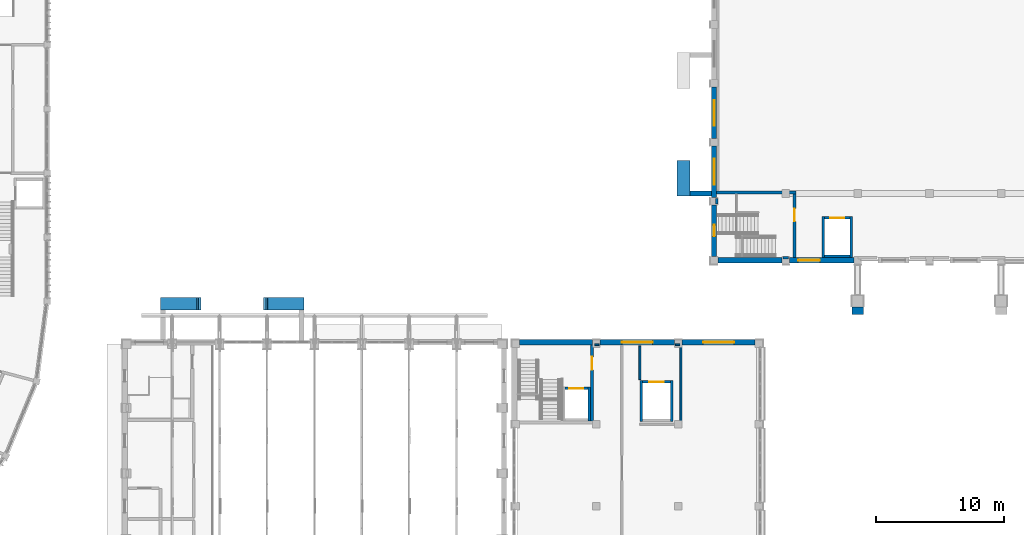
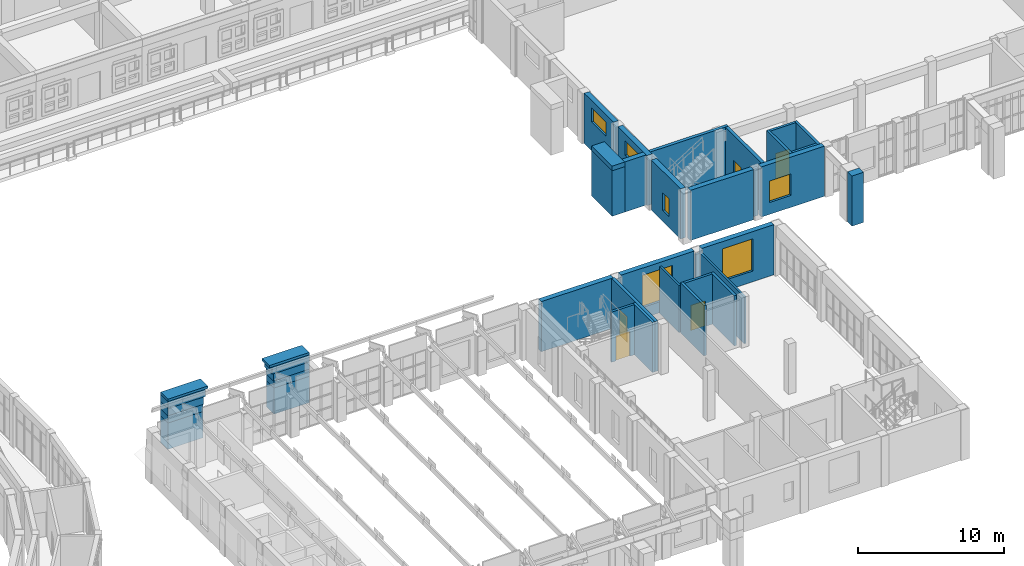
# One storey, part 60 of 99: 40 walls, 6 windows, 5 doors, 11 openings.
"""IFC4 building model written with IfcOpenShell, lengths in metres."""

import ifcopenshell
import ifcopenshell.guid

model = None  # the IFC model being written
_history = None  # IfcOwnerHistory: only IFC2X3 demands one
_inside = {}  # id of a spatial element -> (the spatial element, [elements in it])
_under = {}  # id of a project, library or spatial element -> (it, [spatial elements below it])
_declared = {}  # id of a project -> (the project, [libraries it declares])
_typed = {}  # id of a type object -> (the type object, [elements of that type])
_made_of = {}  # id of a material, layer set ... -> (it, [elements and type objects made of it])


def new_model(schema):
    """Start an empty IFC model of exactly this schema.

    Asked for "IFC4X3", IfcOpenShell would pick the latest addendum, in which some entities
    have other attributes; the version numbers below select the first issue.
    IFC2X3 requires an IfcOwnerHistory on every rooted entity: one is made here for all.
    """
    global model, _history
    if schema == "IFC4X3":
        model = ifcopenshell.file(schema_version=(4, 3, 0, 0))
    else:
        model = ifcopenshell.file(schema=schema)
    _inside.clear()
    _under.clear()
    _declared.clear()
    _typed.clear()
    _made_of.clear()
    _history = None
    if model.schema == "IFC2X3":
        org = make("IfcOrganization", Name="unknown")
        user = make(
            "IfcPersonAndOrganization",
            ThePerson=make("IfcPerson", FamilyName="unknown"),
            TheOrganization=org,
        )
        app = make(
            "IfcApplication",
            ApplicationDeveloper=org,
            Version="unknown",
            ApplicationFullName="unknown",
            ApplicationIdentifier="unknown",
        )
        _history = make(
            "IfcOwnerHistory",
            OwningUser=user,
            OwningApplication=app,
            ChangeAction="ADDED",
            CreationDate=0,
        )
    return model


def make(cls, **values):
    """One entity of the class cls with the attributes given. An attribute that is None is left unset."""
    return model.create_entity(
        cls, **{name: value for name, value in values.items() if value is not None}
    )


def rooted(cls, **values):
    """An entity with a GlobalId (a new one), such as an element, a storey or a relation."""
    return make(cls, GlobalId=ifcopenshell.guid.new(), OwnerHistory=_history, **values)


def si_unit(unit_type, name, prefix=None):
    """IfcSIUnit, for example si_unit("LENGTHUNIT", "METRE", prefix="MILLI")."""
    return make("IfcSIUnit", UnitType=unit_type, Prefix=prefix, Name=name)


def assignment(units):
    """IfcUnitAssignment: the units of a project."""
    return None if units is None else make("IfcUnitAssignment", Units=units)


def point(xyz):
    """IfcCartesianPoint."""
    return None if xyz is None else make("IfcCartesianPoint", Coordinates=xyz)


def direction(xyz):
    """IfcDirection."""
    return None if xyz is None else make("IfcDirection", DirectionRatios=xyz)


def frame(location, z_axis=None, x_axis=None):
    """IfcAxis2Placement3D, a coordinate frame: its origin and axes. An axis left out is left unset."""
    return make(
        "IfcAxis2Placement3D",
        Location=point(location),
        Axis=direction(z_axis),
        RefDirection=direction(x_axis),
    )


def frame_2d(location, x_axis=None):
    """IfcAxis2Placement2D, a coordinate frame in the plane: its origin and x axis."""
    return make(
        "IfcAxis2Placement2D", Location=point(location), RefDirection=direction(x_axis)
    )


def origin():
    """The frame at (0, 0, 0) with its axes left unset."""
    return frame((0.0, 0.0, 0.0))


def place(relative_to, where):
    """IfcLocalPlacement: puts the frame where relative to a parent placement (None: the world)."""
    return make(
        "IfcLocalPlacement", PlacementRelTo=relative_to, RelativePlacement=where
    )


def context(
    kind, dimensions, precision=None, world=None, true_north=None, identifier=None
):
    """IfcGeometricRepresentationContext, for example the 3D "Model" context."""
    return make(
        "IfcGeometricRepresentationContext",
        ContextIdentifier=identifier,
        ContextType=kind,
        CoordinateSpaceDimension=dimensions,
        Precision=precision,
        WorldCoordinateSystem=world,
        TrueNorth=true_north,
    )


def subcontext(parent, identifier, kind, view, scale=None):
    """IfcGeometricRepresentationSubContext, for example "Body" below "Model"."""
    return make(
        "IfcGeometricRepresentationSubContext",
        ContextIdentifier=identifier,
        ContextType=kind,
        ParentContext=parent,
        TargetScale=scale,
        TargetView=view,
    )


def project(units=None, contexts=None):
    """IfcProject with its units and contexts."""
    return rooted(
        "IfcProject",
        Name="project",
        RepresentationContexts=contexts,
        UnitsInContext=assignment(units),
    )


def spatial(cls, under=None, at=None, **own):
    """A site, building, storey or space (cls), placed at a placement, below another one or the project."""
    s = rooted(cls, ObjectPlacement=at, **own)
    if under is not None:
        _under.setdefault(under.id(), (under, []))[1].append(s)
    return s


def profile(cls, at=None, kind="AREA", **sizes):
    """A parametric profile (cls). Its sizes go by their IFC names, for example OverallWidth=200.0."""
    return make(cls, ProfileType=kind, Position=at, **sizes)


def rectangle(**sizes):
    """IfcRectangleProfileDef."""
    return profile("IfcRectangleProfileDef", **sizes)


def extrude(swept, where, along, depth):
    """IfcExtrudedAreaSolid: the profile swept, set in the frame where, extruded along a direction by depth."""
    return make(
        "IfcExtrudedAreaSolid",
        SweptArea=swept,
        Position=where,
        ExtrudedDirection=direction(along),
        Depth=depth,
    )


def shape(context_of_items, identifier, shape_type, items):
    """IfcShapeRepresentation: the items that make up one representation, for example the "Body"."""
    return make(
        "IfcShapeRepresentation",
        ContextOfItems=context_of_items,
        RepresentationIdentifier=identifier,
        RepresentationType=shape_type,
        Items=items,
    )


def material(Name=None, Category=None):
    """IfcMaterial."""
    return make("IfcMaterial", Name=Name, Category=Category)


def layer(
    of_material, thickness, ventilated=None, Name=None, Category=None, Priority=None
):
    """IfcMaterialLayer: one layer of a wall or slab, of a material (None: an air gap)."""
    return make(
        "IfcMaterialLayer",
        Material=of_material,
        LayerThickness=thickness,
        IsVentilated=ventilated,
        Name=Name,
        Category=Category,
        Priority=Priority,
    )


def layer_set(layers, Name=None):
    """IfcMaterialLayerSet."""
    return make("IfcMaterialLayerSet", MaterialLayers=layers, LayerSetName=Name)


def made_of(thing, what):
    """Note that an element or type object is made of a material, layer set ...; save() writes the relation."""
    if what is not None:
        _made_of.setdefault(what.id(), (what, []))[1].append(thing)
    return thing


def type_object(cls, material=None, **own):
    """A type object (cls), such as IfcWallType, which elements share."""
    return made_of(rooted(cls, **own), material)


def element(
    cls,
    number,
    at=None,
    inside=None,
    cuts=None,
    type_object=None,
    material=None,
    context=None,
    identifier="Body",
    shape_type=None,
    held_by="IfcProductDefinitionShape",
    body=None,
    shapes=None,
    **own,
):
    """One element of the class cls, such as IfcWall. Its Tag is "e" and its number.

    at: its placement. inside: the storey or other place that contains it. cuts: it is an
    opening in that element (IfcRelVoidsElement). A single representation is given by context,
    identifier, shape_type and body (its items); several are given by shapes. held_by: the class
    of the entity that holds the representations. save() writes the other relations.
    """
    e = rooted(cls, Tag="e%d" % number, ObjectPlacement=at, **own)
    if body is not None:
        shapes = [shape(context, identifier, shape_type, body)]
    if shapes is not None:
        e.Representation = make(held_by, Representations=shapes)
    if inside is not None:
        _inside.setdefault(inside.id(), (inside, []))[1].append(e)
    if cuts is not None:
        rooted(
            "IfcRelVoidsElement", RelatingBuildingElement=cuts, RelatedOpeningElement=e
        )
    if type_object is not None:
        _typed.setdefault(type_object.id(), (type_object, []))[1].append(e)
    return made_of(e, material)


def fill(opening, filler):
    """IfcRelFillsElement: the door or window that sits in an opening."""
    return rooted(
        "IfcRelFillsElement",
        RelatingOpeningElement=opening,
        RelatedBuildingElement=filler,
    )


def aggregate(whole, parts):
    """IfcRelAggregates: a whole, such as a stair, and the parts it consists of."""
    return rooted("IfcRelAggregates", RelatingObject=whole, RelatedObjects=parts)


def save(model, path):
    """Write the relations noted so far, then the file.

    IfcRelAggregates (storeys below a building ...), IfcRelContainedInSpatialStructure (elements
    in a storey), IfcRelDefinesByType, IfcRelAssociatesMaterial and IfcRelDeclares: one each for
    every whole, place, type object, material and project.
    """
    for whole, parts in _under.values():
        aggregate(whole, parts)
    for where, things in _inside.values():
        rooted(
            "IfcRelContainedInSpatialStructure",
            RelatedElements=things,
            RelatingStructure=where,
        )
    for kind, things in _typed.values():
        rooted("IfcRelDefinesByType", RelatedObjects=things, RelatingType=kind)
    for what, things in _made_of.values():
        rooted("IfcRelAssociatesMaterial", RelatedObjects=things, RelatingMaterial=what)
    for by, libraries in _declared.values():
        rooted("IfcRelDeclares", RelatingContext=by, RelatedDefinitions=libraries)
    model.write(path)


model = new_model("IFC4")

# Units and contexts
model_context = context("Model", 3, precision=1e-05, world=origin(), true_north=direction((0.0, 1.0)))
body_context = subcontext(model_context, "Body", "Model", "MODEL_VIEW")
ifc_project = project(units=[si_unit("LENGTHUNIT", "METRE"), si_unit("AREAUNIT", "SQUARE_METRE"), si_unit("VOLUMEUNIT", "CUBIC_METRE"), si_unit("PLANEANGLEUNIT", "RADIAN"), si_unit("MASSUNIT", "GRAM", prefix="KILO")], contexts=[model_context])

# Site, building, storey
site_placement = place(None, origin())
site = spatial("IfcSite", under=ifc_project, at=site_placement, CompositionType="ELEMENT")
building_placement = place(site_placement, origin())
building = spatial("IfcBuilding", under=site, at=building_placement, Name="Wasatch Bagh Community Centre", CompositionType="ELEMENT")
storey_placement = place(building_placement, frame((0.0, 0.0, 4.199951171875)))
storey = spatial("IfcBuildingStorey", under=building, at=storey_placement, Name="L01", CompositionType="ELEMENT", Elevation=4.199951171875)

# Walls
ifc_material_1 = material(Name="Concrete C40", Category="concrete")
ifc_layer_1 = layer(ifc_material_1, 0.60009765625)
ifc_layer_set_1 = layer_set([ifc_layer_1], Name="Concrete C40")
wall_type_1 = type_object("IfcWallType", Name="CL-W4", PredefinedType="STANDARD", material=ifc_layer_set_1)
wall_1_placement = place(storey_placement, frame((122.949951171875, 34.25, 0.0), z_axis=(0.0, 0.0, 1.0), x_axis=(1.0, 0.0, 0.0)))
element("IfcWall", 1, at=wall_1_placement, inside=storey, type_object=wall_type_1, Name="CL-W4 pier buttress SHP1", PredefinedType="STANDARD", context=body_context, shape_type="SweptSolid", body=[
    extrude(rectangle(XDim=0.900146484375, YDim=0.60009765625, at=frame_2d((0.4501953125, 0.0))), origin(), (0.0, 0.0, 1.0), 4.199951171875),
])
ifc_layer_2 = layer(ifc_material_1, 1.0)
ifc_layer_set_2 = layer_set([ifc_layer_2], Name="Concrete C40")
wall_type_2 = type_object("IfcWallType", Name="DHPQ-W4", PredefinedType="STANDARD", material=ifc_layer_set_2)
for number, where, z_axis, x_axis, name in (
    (2, (69.0, 34.800048828125, 2.199951171875), (0.0, 0.0, 1.0), (1.0, 0.0, 0.0), "DHPQ-W4 iwan arch spandrel"),
    (3, (80.199951171875, 34.800048828125, 2.199951171875), (0.0, 0.0, 1.0), (-1.0, 0.0, 0.0), "DHPQ-W4 iwan arch spandrel"),
):
    element("IfcWall", number, at=place(storey_placement, frame(where, z_axis=z_axis, x_axis=x_axis)), inside=storey, type_object=wall_type_2, Name=name, PredefinedType="STANDARD", context=body_context, shape_type="SweptSolid", body=[
        extrude(rectangle(XDim=2.800048828125, YDim=1.0, at=frame_2d((1.39990234375, 0.0))), origin(), (0.0, 0.0, 1.0), 0.60009765625),
    ])
wall_2_placement = place(storey_placement, frame((69.0, 34.800048828125, 2.800048828125), z_axis=(0.0, 0.0, 1.0), x_axis=(1.0, 0.0, 0.0)))
element("IfcWall", 4, at=wall_2_placement, inside=storey, type_object=wall_type_2, Name="DHPQ-W4 iwan arch spandrel", PredefinedType="STANDARD", context=body_context, shape_type="SweptSolid", body=[
    extrude(rectangle(XDim=2.83984375, YDim=1.0, at=frame_2d((1.419921875, 0.0))), origin(), (0.0, 0.0, 1.0), 0.60009765625),
])
wall_3_placement = place(storey_placement, frame((80.199951171875, 34.800048828125, 2.800048828125), z_axis=(0.0, 0.0, 1.0), x_axis=(-1.0, 0.0, 0.0)))
element("IfcWall", 5, at=wall_3_placement, inside=storey, type_object=wall_type_2, Name="DHPQ-W4 iwan arch spandrel", PredefinedType="STANDARD", context=body_context, shape_type="SweptSolid", body=[
    extrude(rectangle(XDim=2.839599609375, YDim=1.0, at=frame_2d((1.419921875, 0.0))), origin(), (0.0, 0.0, 1.0), 0.60009765625),
])
wall_4_placement = place(storey_placement, frame((69.0, 34.800048828125, 3.400146484375), z_axis=(0.0, 0.0, 1.0), x_axis=(1.0, 0.0, 0.0)))
element("IfcWall", 6, at=wall_4_placement, inside=storey, type_object=wall_type_2, Name="DHPQ-W4 iwan arch spandrel", PredefinedType="STANDARD", context=body_context, shape_type="SweptSolid", body=[
    extrude(rectangle(XDim=2.961181640625, YDim=1.0, at=frame_2d((1.48046875, 0.0))), origin(), (0.0, 0.0, 1.0), 0.599853515625),
])
wall_5_placement = place(storey_placement, frame((80.199951171875, 34.800048828125, 3.400146484375), z_axis=(0.0, 0.0, 1.0), x_axis=(-1.0, 0.0, 0.0)))
element("IfcWall", 7, at=wall_5_placement, inside=storey, type_object=wall_type_2, Name="DHPQ-W4 iwan arch spandrel", PredefinedType="STANDARD", context=body_context, shape_type="SweptSolid", body=[
    extrude(rectangle(XDim=2.9609375, YDim=1.0, at=frame_2d((1.48046875, 0.0))), origin(), (0.0, 0.0, 1.0), 0.599853515625),
])
for number, where, z_axis, x_axis, name in (
    (8, (69.0, 34.800048828125, 4.0), (0.0, 0.0, 1.0), (1.0, 0.0, 0.0), "DHPQ-W4 iwan arch spandrel"),
    (9, (80.199951171875, 34.800048828125, 4.0), (0.0, 0.0, 1.0), (-1.0, 0.0, 0.0), "DHPQ-W4 iwan arch spandrel"),
):
    element("IfcWall", number, at=place(storey_placement, frame(where, z_axis=z_axis, x_axis=x_axis)), inside=storey, type_object=wall_type_2, Name=name, PredefinedType="STANDARD", context=body_context, shape_type="SweptSolid", body=[
        extrude(rectangle(XDim=3.171142578125, YDim=1.0, at=frame_2d((1.58544921875, 0.0))), origin(), (0.0, 0.0, 1.0), 0.199951171875),
    ])
ifc_layer_3 = layer(ifc_material_1, 1.0)
ifc_layer_set_3 = layer_set([ifc_layer_3], Name="Concrete C40")
wall_type_3 = type_object("IfcWallType", Name="DHPQ-W6", PredefinedType="STANDARD", material=ifc_layer_set_3)
for number, where, z_axis, x_axis, name in (
    (10, (69.0, 34.800048828125, 0.0), (0.0, 0.0, 1.0), (1.0, 0.0, 0.0), "DHPQ-W6 iwan pier panel"),
    (11, (80.199951171875, 34.800048828125, 0.0), (0.0, 0.0, 1.0), (-1.0, 0.0, 0.0), "DHPQ-W6 iwan pier panel"),
):
    element("IfcWall", number, at=place(storey_placement, frame(where, z_axis=z_axis, x_axis=x_axis)), inside=storey, type_object=wall_type_3, Name=name, PredefinedType="STANDARD", context=body_context, shape_type="SweptSolid", body=[
        extrude(rectangle(XDim=2.800048828125, YDim=1.0, at=frame_2d((1.39990234375, 0.0))), origin(), (0.0, 0.0, 1.0), 2.199951171875),
    ])
ifc_layer_4 = layer(ifc_material_1, 0.199951171875)
ifc_layer_set_4 = layer_set([ifc_layer_4], Name="Concrete C40")
wall_type_4 = type_object("IfcWallType", Name="KW RC WALL 200 shear", PredefinedType="SHEAR", material=ifc_layer_set_4)
wall_6_placement = place(storey_placement, frame((102.449951171875, 25.64990234375, 0.0), z_axis=(0.0, 0.0, 1.0), x_axis=(0.0, 1.0, 0.0)))
element("IfcWall", 12, at=wall_6_placement, inside=storey, type_object=wall_type_4, Name="KW.core.LF2.L01.E", PredefinedType="SHEAR", context=body_context, shape_type="SweptSolid", body=[
    extrude(rectangle(XDim=2.650146484375, YDim=0.199951171875, at=frame_2d((1.3251953125, 0.0))), origin(), (0.0, 0.0, 1.0), 4.199951171875),
])

# Wall, opening, door
wall_7_placement = place(storey_placement, frame((100.550048828125, 28.199951171875, 0.0), z_axis=(0.0, 0.0, 1.0), x_axis=(1.0, 0.0, 0.0)))
wall_7 = element("IfcWall", 13, at=wall_7_placement, inside=storey, type_object=wall_type_4, Name="KW.core.LF2.L01.N", PredefinedType="SHEAR", context=body_context, shape_type="SweptSolid", body=[
    extrude(rectangle(XDim=1.800048828125, YDim=0.199951171875, at=frame_2d((0.89990234375, 0.0))), origin(), (0.0, 0.0, 1.0), 4.199951171875),
])
opening_1_placement = place(wall_7_placement, frame((0.35009765625, 0.0, 0.0)))
opening_1 = element("IfcOpeningElement", 14, at=opening_1_placement, cuts=wall_7, Name="Opening 1K-01", PredefinedType="OPENING", context=body_context, shape_type="SweptSolid", body=[
    extrude(rectangle(XDim=1.10009765625, YDim=2.10009765625, at=frame_2d((0.550048828125, 1.050048828125))), frame((0.0, 0.10986328125, 0.0), z_axis=(0.0, -1.0, 0.0), x_axis=(1.0, 0.0, 0.0)), (0.0, 0.0, 1.0), 0.219970703125),
])
ifc_material_2 = material(Name="Stainless steel", Category="steel")
door_type_1 = type_object("IfcDoorType", Name="KW door 1100x2100 landing", OperationType="SLIDING_TO_LEFT", PredefinedType="DOOR", material=ifc_material_2)
door_1_placement = place(opening_1_placement, origin())
door_1 = element("IfcDoor", 15, at=door_1_placement, inside=storey, type_object=door_type_1, Name="KW.door.L01.1K-01", OperationType="SLIDING_TO_LEFT", OverallHeight=2.10009765625, OverallWidth=1.10009765625, PredefinedType="DOOR", context=body_context, shape_type="SweptSolid", body=[
    extrude(rectangle(XDim=1.10009765625, YDim=2.10009765625, at=frame_2d((0.550048828125, 1.050048828125))), frame((0.0, 0.02490234375, 0.0), z_axis=(0.0, -1.0, 0.0), x_axis=(1.0, 0.0, 0.0)), (0.0, 0.0, 1.0), 0.050048828125),
])
fill(opening_1, door_1)

# Walls
for number, where, z_axis, x_axis, name in (
    (16, (106.5, 25.60009765625, 0.0), (0.0, 0.0, 1.0), (0.0, 1.0, 0.0), "KW.core.LF3.L01.W"),
    (17, (108.89990234375, 25.60009765625, 0.0), (0.0, 0.0, 1.0), (0.0, 1.0, 0.0), "KW.core.LF3.L01.E"),
):
    element("IfcWall", number, at=place(storey_placement, frame(where, z_axis=z_axis, x_axis=x_axis)), inside=storey, type_object=wall_type_4, Name=name, PredefinedType="SHEAR", context=body_context, shape_type="SweptSolid", body=[
        extrude(rectangle(XDim=3.199951171875, YDim=0.199951171875, at=frame_2d((1.60009765625, 0.0))), origin(), (0.0, 0.0, 1.0), 4.199951171875),
    ])

# Wall, opening, door
wall_8_placement = place(storey_placement, frame((106.60009765625, 28.699951171875, 0.0), z_axis=(0.0, 0.0, 1.0), x_axis=(1.0, 0.0, 0.0)))
wall_8 = element("IfcWall", 18, at=wall_8_placement, inside=storey, type_object=wall_type_4, Name="KW.core.LF3.L01.N", PredefinedType="SHEAR", context=body_context, shape_type="SweptSolid", body=[
    extrude(rectangle(XDim=2.199951171875, YDim=0.199951171875, at=frame_2d((1.10009765625, 0.0))), origin(), (0.0, 0.0, 1.0), 4.199951171875),
])
opening_2_placement = place(wall_8_placement, frame((0.550048828125, 0.0, 0.0)))
opening_2 = element("IfcOpeningElement", 19, at=opening_2_placement, cuts=wall_8, Name="Opening 1K-02", PredefinedType="OPENING", context=body_context, shape_type="SweptSolid", body=[
    extrude(rectangle(XDim=1.10009765625, YDim=2.10009765625, at=frame_2d((0.550048828125, 1.050048828125))), frame((0.0, 0.10986328125, 0.0), z_axis=(0.0, -1.0, 0.0), x_axis=(1.0, 0.0, 0.0)), (0.0, 0.0, 1.0), 0.219970703125),
])
door_2_placement = place(opening_2_placement, origin())
door_2 = element("IfcDoor", 20, at=door_2_placement, inside=storey, type_object=door_type_1, Name="KW.door.L01.1K-02", OperationType="SLIDING_TO_LEFT", OverallHeight=2.10009765625, OverallWidth=1.10009765625, PredefinedType="DOOR", context=body_context, shape_type="SweptSolid", body=[
    extrude(rectangle(XDim=1.10009765625, YDim=2.10009765625, at=frame_2d((0.550048828125, 1.050048828125))), frame((0.0, 0.02490234375, 0.0), z_axis=(0.0, -1.0, 0.0), x_axis=(1.0, 0.0, 0.0)), (0.0, 0.0, 1.0), 0.050048828125),
])
fill(opening_2, door_2)

ifc_layer_5 = layer(ifc_material_1, 0.25)
ifc_layer_set_5 = layer_set([ifc_layer_5], Name="Concrete C40")
wall_type_5 = type_object("IfcWallType", Name="KW RC WALL 250 shear", PredefinedType="SHEAR", material=ifc_layer_set_5)
wall_9_placement = place(storey_placement, frame((102.675048828125, 25.64990234375, 0.0), z_axis=(0.0, 0.0, 1.0), x_axis=(0.0, 1.0, 0.0)))
wall_9 = element("IfcWall", 21, at=wall_9_placement, inside=storey, type_object=wall_type_5, Name="KW.core.ST4.L01.E", PredefinedType="SHEAR", context=body_context, shape_type="SweptSolid", body=[
    extrude(rectangle(XDim=5.9501953125, YDim=0.25, at=frame_2d((2.97509765625, 0.0))), origin(), (0.0, 0.0, 1.0), 4.199951171875),
])
opening_3_placement = place(wall_9_placement, frame((4.0, 0.0, 0.0)))
opening_3 = element("IfcOpeningElement", 22, at=opening_3_placement, cuts=wall_9, Name="Opening 1K-08", PredefinedType="OPENING", context=body_context, shape_type="SweptSolid", body=[
    extrude(rectangle(XDim=1.0, YDim=2.10009765625, at=frame_2d((0.5, 1.050048828125))), frame((0.0, 0.135009765625, 0.0), z_axis=(0.0, -1.0, 0.0), x_axis=(1.0, 0.0, 0.0)), (0.0, 0.0, 1.0), 0.27001953125),
])
ifc_material_3 = material(Name="Painted hardwood timber", Category="wood")
door_type_2 = type_object("IfcDoorType", Name="KW door 1000x2100 single", OperationType="SINGLE_SWING_LEFT", PredefinedType="DOOR", material=ifc_material_3)
door_3_placement = place(opening_3_placement, origin())
door_3 = element("IfcDoor", 23, at=door_3_placement, inside=storey, type_object=door_type_2, Name="KW.door.L01.1K-08", OperationType="SINGLE_SWING_LEFT", OverallHeight=2.10009765625, OverallWidth=1.0, PredefinedType="DOOR", context=body_context, shape_type="SweptSolid", body=[
    extrude(rectangle(XDim=1.0, YDim=2.10009765625, at=frame_2d((0.5, 1.050048828125))), frame((0.0, 0.02490234375, 0.0), z_axis=(0.0, -1.0, 0.0), x_axis=(1.0, 0.0, 0.0)), (0.0, 0.0, 1.0), 0.050048828125),
])
fill(opening_3, door_3)

# Wall
ifc_layer_6 = layer(ifc_material_1, 0.39990234375)
ifc_layer_set_6 = layer_set([ifc_layer_6], Name="Concrete C40")
wall_type_6 = type_object("IfcWallType", Name="KW RC WALL 400 solidwall", PredefinedType="SOLIDWALL", material=ifc_layer_set_6)
wall_10_placement = place(storey_placement, frame((97.0, 31.800048828125, 0.0), z_axis=(0.0, 0.0, 1.0), x_axis=(1.0, 0.0, 0.0)))
element("IfcWall", 24, at=wall_10_placement, inside=storey, type_object=wall_type_6, Name="KW.wall.L01.04", PredefinedType="SOLIDWALL", context=body_context, shape_type="SweptSolid", body=[
    extrude(rectangle(XDim=5.699951171875, YDim=0.39990234375, at=frame_2d((2.85009765625, 0.0))), origin(), (0.0, 0.0, 1.0), 4.199951171875),
])

# Wall, opening, window
wall_11_placement = place(storey_placement, frame((103.300048828125, 31.800048828125, 0.0), z_axis=(0.0, 0.0, 1.0), x_axis=(1.0, 0.0, 0.0)))
wall_11 = element("IfcWall", 25, at=wall_11_placement, inside=storey, type_object=wall_type_6, Name="KW.wall.L01.05", PredefinedType="SOLIDWALL", context=body_context, shape_type="SweptSolid", body=[
    extrude(rectangle(XDim=5.800048828125, YDim=0.39990234375, at=frame_2d((2.89990234375, 0.0))), origin(), (0.0, 0.0, 1.0), 4.199951171875),
])
opening_4_placement = place(wall_11_placement, frame((1.699951171875, 0.0, 0.89990234375)))
opening_4 = element("IfcOpeningElement", 26, at=opening_4_placement, cuts=wall_11, Name="Opening 1K-W05", PredefinedType="OPENING", context=body_context, shape_type="SweptSolid", body=[
    extrude(rectangle(XDim=2.39990234375, YDim=2.699951171875, at=frame_2d((1.199951171875, 1.35009765625))), frame((0.0, 0.2099609375, 0.0), z_axis=(0.0, -1.0, 0.0), x_axis=(1.0, 0.0, 0.0)), (0.0, 0.0, 1.0), 0.419921875),
])
ifc_material_4 = material(Name="Aluminium frame with double glazing", Category="aluminium")
window_type_1 = type_object("IfcWindowType", Name="KW window 2400x2700", PartitioningType="SINGLE_PANEL", PredefinedType="WINDOW", material=ifc_material_4)
window_1_placement = place(opening_4_placement, origin())
window_1 = element("IfcWindow", 27, at=window_1_placement, inside=storey, type_object=window_type_1, Name="KW.window.L01.1K-W05", OverallHeight=2.699951171875, OverallWidth=2.39990234375, PartitioningType="SINGLE_PANEL", PredefinedType="WINDOW", context=body_context, shape_type="SweptSolid", body=[
    extrude(rectangle(XDim=2.39990234375, YDim=2.699951171875, at=frame_2d((1.199951171875, 1.35009765625))), frame((0.0, 0.030029296875, 0.0), z_axis=(0.0, -1.0, 0.0), x_axis=(1.0, 0.0, 0.0)), (0.0, 0.0, 1.0), 0.06005859375),
])
fill(opening_4, window_1)

wall_12_placement = place(storey_placement, frame((109.699951171875, 31.800048828125, 0.0), z_axis=(0.0, 0.0, 1.0), x_axis=(1.0, 0.0, 0.0)))
wall_12 = element("IfcWall", 28, at=wall_12_placement, inside=storey, type_object=wall_type_6, Name="KW.wall.L01.06", PredefinedType="SOLIDWALL", context=body_context, shape_type="SweptSolid", body=[
    extrude(rectangle(XDim=5.699951171875, YDim=0.39990234375, at=frame_2d((2.85009765625, 0.0))), origin(), (0.0, 0.0, 1.0), 4.199951171875),
])
opening_5_placement = place(wall_12_placement, frame((1.64990234375, 0.0, 0.89990234375)))
opening_5 = element("IfcOpeningElement", 29, at=opening_5_placement, cuts=wall_12, Name="Opening 1K-W06", PredefinedType="OPENING", context=body_context, shape_type="SweptSolid", body=[
    extrude(rectangle(XDim=2.39990234375, YDim=2.699951171875, at=frame_2d((1.199951171875, 1.35009765625))), frame((0.0, 0.2099609375, 0.0), z_axis=(0.0, -1.0, 0.0), x_axis=(1.0, 0.0, 0.0)), (0.0, 0.0, 1.0), 0.419921875),
])
window_2_placement = place(opening_5_placement, origin())
window_2 = element("IfcWindow", 30, at=window_2_placement, inside=storey, type_object=window_type_1, Name="KW.window.L01.1K-W06", OverallHeight=2.699951171875, OverallWidth=2.39990234375, PartitioningType="SINGLE_PANEL", PredefinedType="WINDOW", context=body_context, shape_type="SweptSolid", body=[
    extrude(rectangle(XDim=2.39990234375, YDim=2.699951171875, at=frame_2d((1.199951171875, 1.35009765625))), frame((0.0, 0.030029296875, 0.0), z_axis=(0.0, -1.0, 0.0), x_axis=(1.0, 0.0, 0.0)), (0.0, 0.0, 1.0), 0.06005859375),
])
fill(opening_5, window_2)

# Walls
ifc_material_5 = material(Name="Hollow block masonry, medium weight (ASTM Grade N)", Category="masonry")
ifc_layer_7 = layer(ifc_material_5, 0.14990234375)
ifc_layer_set_7 = layer_set([ifc_layer_7], Name="Hollow block masonry, medium weight (ASTM Grade N)")
wall_type_7 = type_object("IfcWallType", Name="KW partition 150", PredefinedType="PARTITIONING", material=ifc_layer_set_7)
wall_13_placement = place(storey_placement, frame((103.219970703125, 31.60009765625, 0.0), z_axis=(0.0, 0.0, 1.0), x_axis=(-1.0, 0.0, 0.0)))
element("IfcWall", 31, at=wall_13_placement, inside=storey, type_object=wall_type_7, Name="KW.part.L01.007", PredefinedType="PARTITIONING", context=body_context, shape_type="SweptSolid", body=[
    extrude(rectangle(XDim=0.340087890625, YDim=0.14990234375, at=frame_2d((0.169921875, 0.0))), origin(), (0.0, 0.0, 1.0), 3.920166015625),
])
wall_14_placement = place(storey_placement, frame((106.39990234375, 31.52001953125, 0.0), z_axis=(0.0, 0.0, 1.0), x_axis=(0.0, -1.0, 0.0)))
element("IfcWall", 32, at=wall_14_placement, inside=storey, type_object=wall_type_7, Name="KW.part.L01.013", PredefinedType="PARTITIONING", context=body_context, shape_type="SweptSolid", body=[
    extrude(rectangle(XDim=2.64013671875, YDim=0.14990234375, at=frame_2d((1.320068359375, 0.0))), origin(), (0.0, 0.0, 1.0), 3.920166015625),
])
wall_15_placement = place(storey_placement, frame((109.52490234375, 31.60009765625, 0.0), z_axis=(0.0, 0.0, 1.0), x_axis=(-1.0, 0.0, 0.0)))
element("IfcWall", 33, at=wall_15_placement, inside=storey, type_object=wall_type_7, Name="KW.part.L01.016", PredefinedType="PARTITIONING", context=body_context, shape_type="SweptSolid", body=[
    extrude(rectangle(XDim=0.344970703125, YDim=0.14990234375, at=frame_2d((0.17236328125, 0.0))), origin(), (0.0, 0.0, 1.0), 3.920166015625),
])
wall_16_placement = place(storey_placement, frame((109.60009765625, 25.47509765625, 0.0), z_axis=(0.0, 0.0, 1.0), x_axis=(0.0, 1.0, 0.0)))
element("IfcWall", 34, at=wall_16_placement, inside=storey, type_object=wall_type_7, Name="KW.part.L01.017", PredefinedType="PARTITIONING", context=body_context, shape_type="SweptSolid", body=[
    extrude(rectangle(XDim=6.125, YDim=0.14990234375, at=frame_2d((3.0625, 0.0))), origin(), (0.0, 0.0, 1.0), 3.920166015625),
])
ifc_layer_8 = layer(ifc_material_1, 0.199951171875)
ifc_layer_set_8 = layer_set([ifc_layer_8], Name="Concrete C40")
wall_type_8 = type_object("IfcWallType", Name="SH RC WALL 200 shear", PredefinedType="SHEAR", material=ifc_layer_set_8)
for number, where, z_axis, x_axis, name in (
    (35, (120.699951171875, 38.39990234375, 0.0), (0.0, 0.0, 1.0), (0.0, 1.0, 0.0), "SH.core.LF1.L01.W"),
    (36, (122.89990234375, 38.39990234375, 0.0), (0.0, 0.0, 1.0), (0.0, 1.0, 0.0), "SH.core.LF1.L01.E"),
):
    element("IfcWall", number, at=place(storey_placement, frame(where, z_axis=z_axis, x_axis=x_axis)), inside=storey, type_object=wall_type_8, Name=name, PredefinedType="SHEAR", context=body_context, shape_type="SweptSolid", body=[
        extrude(rectangle(XDim=3.2001953125, YDim=0.199951171875, at=frame_2d((1.60009765625, 0.0))), origin(), (0.0, 0.0, 1.0), 4.199951171875),
    ])
wall_17_placement = place(storey_placement, frame((120.800048828125, 38.5, 0.0), z_axis=(0.0, 0.0, 1.0), x_axis=(1.0, 0.0, 0.0)))
element("IfcWall", 37, at=wall_17_placement, inside=storey, type_object=wall_type_8, Name="SH.core.LF1.L01.S", PredefinedType="SHEAR", context=body_context, shape_type="SweptSolid", body=[
    extrude(rectangle(XDim=2.0, YDim=0.199951171875, at=frame_2d((1.0, 0.0))), origin(), (0.0, 0.0, 1.0), 4.199951171875),
])

# Wall, opening, door
wall_18_placement = place(storey_placement, frame((120.800048828125, 41.5, 0.0), z_axis=(0.0, 0.0, 1.0), x_axis=(1.0, 0.0, 0.0)))
wall_18 = element("IfcWall", 38, at=wall_18_placement, inside=storey, type_object=wall_type_8, Name="SH.core.LF1.L01.N", PredefinedType="SHEAR", context=body_context, shape_type="SweptSolid", body=[
    extrude(rectangle(XDim=2.0, YDim=0.199951171875, at=frame_2d((1.0, 0.0))), origin(), (0.0, 0.0, 1.0), 4.199951171875),
])
opening_6_placement = place(wall_18_placement, frame((0.449951171875, 0.0, 0.0)))
opening_6 = element("IfcOpeningElement", 39, at=opening_6_placement, cuts=wall_18, Name="Opening 1S-02", PredefinedType="OPENING", context=body_context, shape_type="SweptSolid", body=[
    extrude(rectangle(XDim=1.10009765625, YDim=2.10009765625, at=frame_2d((0.550048828125, 1.050048828125))), frame((0.0, 0.10986328125, 0.0), z_axis=(0.0, -1.0, 0.0), x_axis=(1.0, 0.0, 0.0)), (0.0, 0.0, 1.0), 0.219970703125),
])
door_type_3 = type_object("IfcDoorType", Name="SH door 1100x2100 landing", OperationType="SLIDING_TO_LEFT", PredefinedType="DOOR", material=ifc_material_2)
door_4_placement = place(opening_6_placement, origin())
door_4 = element("IfcDoor", 40, at=door_4_placement, inside=storey, type_object=door_type_3, Name="SH.door.L01.1S-02", OperationType="SLIDING_TO_LEFT", OverallHeight=2.10009765625, OverallWidth=1.10009765625, PredefinedType="DOOR", context=body_context, shape_type="SweptSolid", body=[
    extrude(rectangle(XDim=1.10009765625, YDim=2.10009765625, at=frame_2d((0.550048828125, 1.050048828125))), frame((0.0, 0.02490234375, 0.0), z_axis=(0.0, -1.0, 0.0), x_axis=(1.0, 0.0, 0.0)), (0.0, 0.0, 1.0), 0.050048828125),
])
fill(opening_6, door_4)

ifc_layer_9 = layer(ifc_material_1, 0.25)
ifc_layer_set_9 = layer_set([ifc_layer_9], Name="Concrete C40")
wall_type_9 = type_object("IfcWallType", Name="SH RC WALL 250 shear", PredefinedType="SHEAR", material=ifc_layer_set_9)
wall_19_placement = place(storey_placement, frame((118.47509765625, 38.39990234375, 0.0), z_axis=(0.0, 0.0, 1.0), x_axis=(0.0, 1.0, 0.0)))
wall_19 = element("IfcWall", 41, at=wall_19_placement, inside=storey, type_object=wall_type_9, Name="SH.core.ST1.L01.E", PredefinedType="SHEAR", context=body_context, shape_type="SweptSolid", body=[
    extrude(rectangle(XDim=4.9501953125, YDim=0.25, at=frame_2d((2.47509765625, 0.0))), origin(), (0.0, 0.0, 1.0), 4.199951171875),
])
opening_7_placement = place(wall_19_placement, frame((2.834228515625, 0.0, 0.0)))
opening_7 = element("IfcOpeningElement", 42, at=opening_7_placement, cuts=wall_19, Name="Opening 1S-04", PredefinedType="OPENING", context=body_context, shape_type="SweptSolid", body=[
    extrude(rectangle(XDim=1.0, YDim=2.10009765625, at=frame_2d((0.5, 1.050048828125))), frame((0.0, 0.135009765625, 0.0), z_axis=(0.0, -1.0, 0.0), x_axis=(1.0, 0.0, 0.0)), (0.0, 0.0, 1.0), 0.27001953125),
])
door_type_4 = type_object("IfcDoorType", Name="SH door 1000x2100 single", OperationType="SINGLE_SWING_LEFT", PredefinedType="DOOR", material=ifc_material_3)
door_5_placement = place(opening_7_placement, origin())
door_5 = element("IfcDoor", 43, at=door_5_placement, inside=storey, type_object=door_type_4, Name="SH.door.L01.1S-04", OperationType="SINGLE_SWING_LEFT", OverallHeight=2.10009765625, OverallWidth=1.0, PredefinedType="DOOR", context=body_context, shape_type="SweptSolid", body=[
    extrude(rectangle(XDim=1.0, YDim=2.10009765625, at=frame_2d((0.5, 1.050048828125))), frame((0.0, 0.02490234375, 0.0), z_axis=(0.0, -1.0, 0.0), x_axis=(1.0, 0.0, 0.0)), (0.0, 0.0, 1.0), 0.050048828125),
])
fill(opening_7, door_5)

# Walls
wall_20_placement = place(storey_placement, frame((112.39990234375, 43.47509765625, 0.0), z_axis=(0.0, 0.0, 1.0), x_axis=(1.0, 0.0, 0.0)))
element("IfcWall", 44, at=wall_20_placement, inside=storey, type_object=wall_type_9, Name="SH.core.ST1.L01.N", PredefinedType="SHEAR", context=body_context, shape_type="SweptSolid", body=[
    extrude(rectangle(XDim=6.2001953125, YDim=0.25, at=frame_2d((3.10009765625, 0.0))), origin(), (0.0, 0.0, 1.0), 4.199951171875),
])
ifc_layer_10 = layer(ifc_material_1, 0.39990234375)
ifc_layer_set_10 = layer_set([ifc_layer_10], Name="Concrete C40")
wall_type_10 = type_object("IfcWallType", Name="SH RC WALL 400 solidwall", PredefinedType="SOLIDWALL", material=ifc_layer_set_10)
wall_21_placement = place(storey_placement, frame((117.5, 38.199951171875, 0.0), z_axis=(0.0, 0.0, 1.0), x_axis=(-1.0, 0.0, 0.0)))
element("IfcWall", 45, at=wall_21_placement, inside=storey, type_object=wall_type_10, Name="SH.wall.L01.01", PredefinedType="SOLIDWALL", context=body_context, shape_type="SweptSolid", body=[
    extrude(rectangle(XDim=5.0, YDim=0.39990234375, at=frame_2d((2.5, 0.0))), origin(), (0.0, 0.0, 1.0), 4.199951171875),
])

# Wall, opening, window
wall_22_placement = place(storey_placement, frame((123.10009765625, 38.199951171875, 0.0), z_axis=(0.0, 0.0, 1.0), x_axis=(-1.0, 0.0, 0.0)))
wall_22 = element("IfcWall", 46, at=wall_22_placement, inside=storey, type_object=wall_type_10, Name="SH.wall.L01.02", PredefinedType="SOLIDWALL", context=body_context, shape_type="SweptSolid", body=[
    extrude(rectangle(XDim=5.0, YDim=0.39990234375, at=frame_2d((2.5, 0.0))), origin(), (0.0, 0.0, 1.0), 4.199951171875),
])
opening_8_placement = place(wall_22_placement, frame((2.64990234375, 0.0, 1.0)))
opening_8 = element("IfcOpeningElement", 47, at=opening_8_placement, cuts=wall_22, Name="Opening 1S-W19", PredefinedType="OPENING", context=body_context, shape_type="SweptSolid", body=[
    extrude(rectangle(XDim=1.699951171875, YDim=1.800048828125, at=frame_2d((0.85009765625, 0.89990234375))), frame((0.0, 0.2099609375, 0.0), z_axis=(0.0, -1.0, 0.0), x_axis=(1.0, 0.0, 0.0)), (0.0, 0.0, 1.0), 0.419921875),
])
window_type_2 = type_object("IfcWindowType", Name="SH window 1700x1800", PartitioningType="SINGLE_PANEL", PredefinedType="WINDOW", material=ifc_material_4)
window_3_placement = place(opening_8_placement, origin())
window_3 = element("IfcWindow", 48, at=window_3_placement, inside=storey, type_object=window_type_2, Name="SH.window.L01.1S-W19", OverallHeight=1.800048828125, OverallWidth=1.699951171875, PartitioningType="SINGLE_PANEL", PredefinedType="WINDOW", context=body_context, shape_type="SweptSolid", body=[
    extrude(rectangle(XDim=1.699951171875, YDim=1.800048828125, at=frame_2d((0.85009765625, 0.89990234375))), frame((0.0, 0.030029296875, 0.0), z_axis=(0.0, -1.0, 0.0), x_axis=(1.0, 0.0, 0.0)), (0.0, 0.0, 1.0), 0.06005859375),
])
fill(opening_8, window_3)

wall_23_placement = place(storey_placement, frame((112.199951171875, 38.5, 0.0), z_axis=(0.0, 0.0, 1.0), x_axis=(0.0, 1.0, 0.0)))
wall_23 = element("IfcWall", 49, at=wall_23_placement, inside=storey, type_object=wall_type_10, Name="SH.wall.L01.13", PredefinedType="SOLIDWALL", context=body_context, shape_type="SweptSolid", body=[
    extrude(rectangle(XDim=4.0, YDim=0.39990234375, at=frame_2d((2.0, 0.0))), origin(), (0.0, 0.0, 1.0), 4.199951171875),
])
opening_9_placement = place(wall_23_placement, frame((1.550048828125, 0.0, 0.89990234375)))
opening_9 = element("IfcOpeningElement", 50, at=opening_9_placement, cuts=wall_23, Name="Opening 1S-W03", PredefinedType="OPENING", context=body_context, shape_type="SweptSolid", body=[
    extrude(rectangle(XDim=0.89990234375, YDim=1.5, at=frame_2d((0.449951171875, 0.75))), frame((0.0, 0.2099609375, 0.0), z_axis=(0.0, -1.0, 0.0), x_axis=(1.0, 0.0, 0.0)), (0.0, 0.0, 1.0), 0.419921875),
])
window_type_3 = type_object("IfcWindowType", Name="SH window 900x1500", PartitioningType="SINGLE_PANEL", PredefinedType="WINDOW", material=ifc_material_4)
window_4_placement = place(opening_9_placement, origin())
window_4 = element("IfcWindow", 51, at=window_4_placement, inside=storey, type_object=window_type_3, Name="SH.window.L01.1S-W03", OverallHeight=1.5, OverallWidth=0.89990234375, PartitioningType="SINGLE_PANEL", PredefinedType="WINDOW", context=body_context, shape_type="SweptSolid", body=[
    extrude(rectangle(XDim=0.89990234375, YDim=1.5, at=frame_2d((0.449951171875, 0.75))), frame((0.0, 0.030029296875, 0.0), z_axis=(0.0, -1.0, 0.0), x_axis=(1.0, 0.0, 0.0)), (0.0, 0.0, 1.0), 0.06005859375),
])
fill(opening_9, window_4)

wall_24_placement = place(storey_placement, frame((112.199951171875, 43.10009765625, 0.0), z_axis=(0.0, 0.0, 1.0), x_axis=(0.0, 1.0, 0.0)))
wall_24 = element("IfcWall", 52, at=wall_24_placement, inside=storey, type_object=wall_type_10, Name="SH.wall.L01.14", PredefinedType="SOLIDWALL", context=body_context, shape_type="SweptSolid", body=[
    extrude(rectangle(XDim=4.0, YDim=0.39990234375, at=frame_2d((2.0, 0.0))), origin(), (0.0, 0.0, 1.0), 4.199951171875),
])
opening_10_placement = place(wall_24_placement, frame((1.0, 0.0, 2.39990234375)))
opening_10 = element("IfcOpeningElement", 53, at=opening_10_placement, cuts=wall_24, Name="Opening 1S-W06", PredefinedType="OPENING", context=body_context, shape_type="SweptSolid", body=[
    extrude(rectangle(XDim=2.0, YDim=1.199951171875, at=frame_2d((1.0, 0.60009765625))), frame((0.0, 0.2099609375, 0.0), z_axis=(0.0, -1.0, 0.0), x_axis=(1.0, 0.0, 0.0)), (0.0, 0.0, 1.0), 0.419921875),
])
window_type_4 = type_object("IfcWindowType", Name="SH window 2000x1200", PartitioningType="SINGLE_PANEL", PredefinedType="WINDOW", material=ifc_material_4)
window_5_placement = place(opening_10_placement, origin())
window_5 = element("IfcWindow", 54, at=window_5_placement, inside=storey, type_object=window_type_4, Name="SH.window.L01.1S-W06", OverallHeight=1.199951171875, OverallWidth=2.0, PartitioningType="SINGLE_PANEL", PredefinedType="WINDOW", context=body_context, shape_type="SweptSolid", body=[
    extrude(rectangle(XDim=2.0, YDim=1.199951171875, at=frame_2d((1.0, 0.60009765625))), frame((0.0, 0.030029296875, 0.0), z_axis=(0.0, -1.0, 0.0), x_axis=(1.0, 0.0, 0.0)), (0.0, 0.0, 1.0), 0.06005859375),
])
fill(opening_10, window_5)

wall_25_placement = place(storey_placement, frame((112.199951171875, 47.699951171875, 0.0), z_axis=(0.0, 0.0, 1.0), x_axis=(0.0, 1.0, 0.0)))
wall_25 = element("IfcWall", 55, at=wall_25_placement, inside=storey, type_object=wall_type_10, Name="SH.wall.L01.15", PredefinedType="SOLIDWALL", context=body_context, shape_type="SweptSolid", body=[
    extrude(rectangle(XDim=4.0, YDim=0.39990234375, at=frame_2d((2.0, 0.0))), origin(), (0.0, 0.0, 1.0), 4.199951171875),
])
opening_11_placement = place(wall_25_placement, frame((1.0, 0.0, 2.39990234375)))
opening_11 = element("IfcOpeningElement", 56, at=opening_11_placement, cuts=wall_25, Name="Opening 1S-W07", PredefinedType="OPENING", context=body_context, shape_type="SweptSolid", body=[
    extrude(rectangle(XDim=2.0, YDim=1.199951171875, at=frame_2d((1.0, 0.60009765625))), frame((0.0, 0.2099609375, 0.0), z_axis=(0.0, -1.0, 0.0), x_axis=(1.0, 0.0, 0.0)), (0.0, 0.0, 1.0), 0.419921875),
])
window_6_placement = place(opening_11_placement, origin())
window_6 = element("IfcWindow", 57, at=window_6_placement, inside=storey, type_object=window_type_4, Name="SH.window.L01.1S-W07", OverallHeight=1.199951171875, OverallWidth=2.0, PartitioningType="SINGLE_PANEL", PredefinedType="WINDOW", context=body_context, shape_type="SweptSolid", body=[
    extrude(rectangle(XDim=2.0, YDim=1.199951171875, at=frame_2d((1.0, 0.60009765625))), frame((0.0, 0.030029296875, 0.0), z_axis=(0.0, -1.0, 0.0), x_axis=(1.0, 0.0, 0.0)), (0.0, 0.0, 1.0), 0.06005859375),
])
fill(opening_11, window_6)

# Walls
ifc_layer_11 = layer(ifc_material_5, 0.18994140625)
ifc_layer_set_11 = layer_set([ifc_layer_11], Name="Hollow block masonry, medium weight (ASTM Grade N)")
wall_type_11 = type_object("IfcWallType", Name="SH partition 190", PredefinedType="PARTITIONING", material=ifc_layer_set_11)
for number, where, z_axis, x_axis, name in (
    (58, (112.39990234375, 43.02001953125, 0.0), (0.0, 0.0, 1.0), (0.0, -1.0, 0.0), "SH.part.L01.001"),
    (59, (117.580078125, 38.39990234375, 0.0), (0.0, 0.0, 1.0), (1.0, 0.0, 0.0), "SH.part.L01.006"),
):
    element("IfcWall", number, at=place(storey_placement, frame(where, z_axis=z_axis, x_axis=x_axis)), inside=storey, type_object=wall_type_11, Name=name, PredefinedType="PARTITIONING", context=body_context, shape_type="SweptSolid", body=[
        extrude(rectangle(XDim=0.43994140625, YDim=0.18994140625, at=frame_2d((0.219970703125, 0.0))), origin(), (0.0, 0.0, 1.0), 3.97998046875),
    ])
ifc_layer_12 = layer(ifc_material_1, 1.0)
ifc_layer_set_12 = layer_set([ifc_layer_12], Name="Concrete C40")
wall_type_12 = type_object("IfcWallType", Name="SHPQ-W4", PredefinedType="STANDARD", material=ifc_layer_set_12)
wall_26_placement = place(storey_placement, frame((109.800048828125, 43.199951171875, 3.800048828125), z_axis=(0.0, 0.0, 1.0), x_axis=(0.0, 1.0, 0.0)))
element("IfcWall", 60, at=wall_26_placement, inside=storey, type_object=wall_type_12, Name="SHPQ-W4 iwan arch spandrel", PredefinedType="STANDARD", context=body_context, shape_type="SweptSolid", body=[
    extrude(rectangle(XDim=2.800048828125, YDim=1.0, at=frame_2d((1.39990234375, 0.0))), origin(), (0.0, 0.0, 1.0), 0.39990234375),
])
ifc_layer_13 = layer(ifc_material_1, 0.39990234375)
ifc_layer_set_13 = layer_set([ifc_layer_13], Name="Concrete C40")
wall_type_13 = type_object("IfcWallType", Name="SHPQ-W5", PredefinedType="STANDARD", material=ifc_layer_set_13)
wall_27_placement = place(storey_placement, frame((110.300048828125, 43.39990234375, 0.0), z_axis=(0.0, 0.0, 1.0), x_axis=(1.0, 0.0, 0.0)))
element("IfcWall", 61, at=wall_27_placement, inside=storey, type_object=wall_type_13, Name="SHPQ-W5 pishtaq return wall W", PredefinedType="STANDARD", context=body_context, shape_type="SweptSolid", body=[
    extrude(rectangle(XDim=1.699951171875, YDim=0.39990234375, at=frame_2d((0.85009765625, 0.0))), origin(), (0.0, 0.0, 1.0), 4.199951171875),
])
ifc_layer_14 = layer(ifc_material_1, 1.0)
ifc_layer_set_14 = layer_set([ifc_layer_14], Name="Concrete C40")
wall_type_14 = type_object("IfcWallType", Name="SHPQ-W6", PredefinedType="STANDARD", material=ifc_layer_set_14)
wall_28_placement = place(storey_placement, frame((109.800048828125, 43.199951171875, 0.0), z_axis=(0.0, 0.0, 1.0), x_axis=(0.0, 1.0, 0.0)))
element("IfcWall", 62, at=wall_28_placement, inside=storey, type_object=wall_type_14, Name="SHPQ-W6 iwan pier panel", PredefinedType="STANDARD", context=body_context, shape_type="SweptSolid", body=[
    extrude(rectangle(XDim=2.800048828125, YDim=1.0, at=frame_2d((1.39990234375, 0.0))), origin(), (0.0, 0.0, 1.0), 3.800048828125),
])

save(model, "model.ifc")
